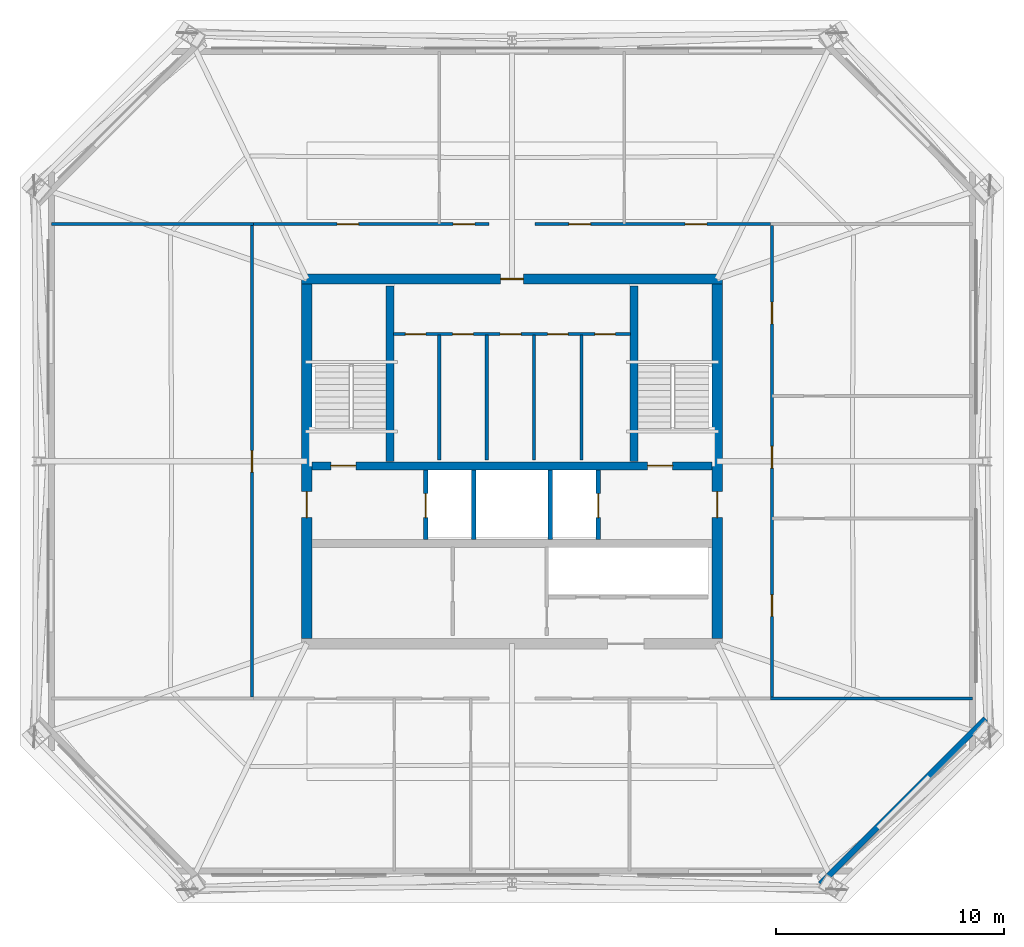
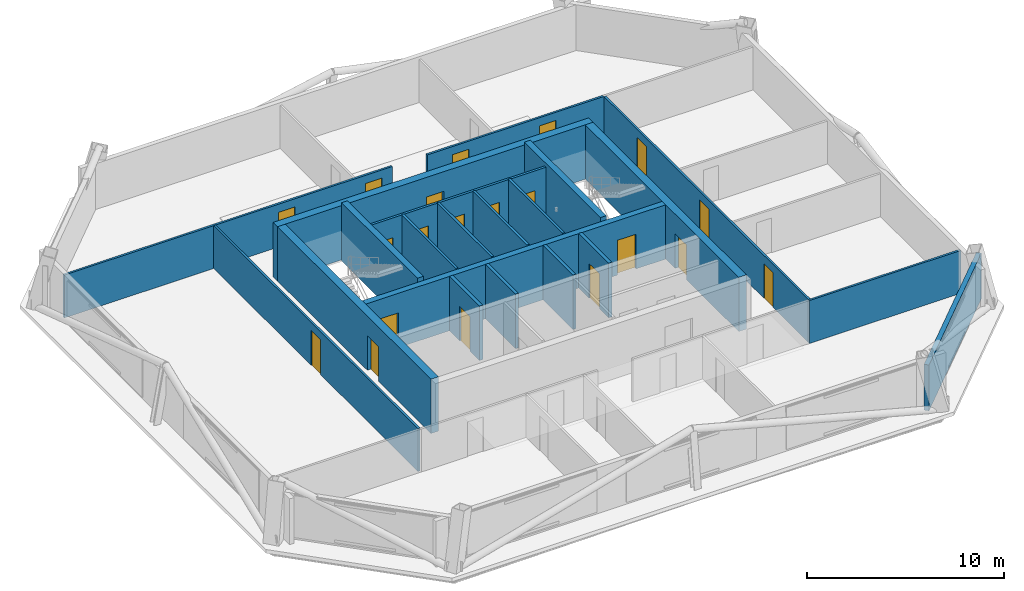
# One storey, part 3 of 6: 22 walls, 20 doors, 20 openings.
"""IFC4 building model written with IfcOpenShell, lengths in metres."""

from ifc_helpers import new_model, si_unit, direction, frame, frame_2d, origin, place, context, subcontext, project, spatial, rectangle, extrude, material, layer, layer_set, type_object, element, fill, save


model = new_model("IFC4")

# Units and contexts
model_context = context("Model", 3, precision=1e-05, world=origin(), true_north=direction((0.0, 1.0)))
body_context = subcontext(model_context, "Body", "Model", "MODEL_VIEW")
ifc_project = project(units=[si_unit("LENGTHUNIT", "METRE"), si_unit("AREAUNIT", "SQUARE_METRE"), si_unit("VOLUMEUNIT", "CUBIC_METRE"), si_unit("PLANEANGLEUNIT", "RADIAN"), si_unit("MASSUNIT", "GRAM", prefix="KILO")], contexts=[model_context])

# Site, building, storey
site_placement = place(None, origin())
site = spatial("IfcSite", under=ifc_project, at=site_placement, CompositionType="ELEMENT")
building_placement = place(site_placement, origin())
building = spatial("IfcBuilding", under=site, at=building_placement, Name="Caelvoria Tower", CompositionType="ELEMENT")
storey_placement = place(building_placement, frame((0.0, 0.0, 216.60009765625)))
storey = spatial("IfcBuildingStorey", under=building, at=storey_placement, Name="L57", CompositionType="ELEMENT", Elevation=216.60009765625)

# Wall, openings, doors
ifc_material_1 = material(Name="Concrete C50/60", Category="concrete")
ifc_layer_1 = layer(ifc_material_1, 0.35009765625, Name="Concrete C50/60")
ifc_layer_set_1 = layer_set([ifc_layer_1], Name="Core Internal Shear Wall 350 - Concrete C50/60")
wall_type_1 = type_object("IfcWallType", Name="Core Internal Shear Wall 350", PredefinedType="SHEAR", material=ifc_layer_set_1)
wall_1_placement = place(storey_placement, frame((37.22509765625, 31.800048828125, 0.0), z_axis=(0.0, 0.0, 1.0), x_axis=(1.0, 0.0, 0.0)))
wall_1 = element("IfcWall", 1, at=wall_1_placement, inside=storey, type_object=wall_type_1, Name="Core Shear Wall L57 M1", PredefinedType="SHEAR", context=body_context, shape_type="SweptSolid", body=[
    extrude(rectangle(XDim=17.5498046875, YDim=0.35009765625, at=frame_2d((8.77490234375, 0.0))), origin(), (0.0, 0.0, 1.0), 3.35986328125),
])
opening_1_placement = place(wall_1_placement, frame((0.824951171875, 0.0, 0.0)))
opening_1 = element("IfcOpeningElement", 2, at=opening_1_placement, cuts=wall_1, Name="Opening ID-01", PredefinedType="OPENING", context=body_context, shape_type="SweptSolid", body=[
    extrude(rectangle(XDim=1.10009765625, YDim=2.14990234375, at=frame_2d((0.550048828125, 1.074951171875))), frame((0.0, 0.18505859375, 0.0), z_axis=(0.0, -1.0, 0.0), x_axis=(1.0, 0.0, 0.0)), (0.0, 0.0, 1.0), 0.3701171875),
])
opening_2_placement = place(wall_1_placement, frame((14.72509765625, 0.0, 0.0)))
opening_2 = element("IfcOpeningElement", 3, at=opening_2_placement, cuts=wall_1, Name="Opening ID-01", PredefinedType="OPENING", context=body_context, shape_type="SweptSolid", body=[
    extrude(rectangle(XDim=1.10009765625, YDim=2.14990234375, at=frame_2d((0.550048828125, 1.074951171875))), frame((0.0, 0.18505859375, 0.0), z_axis=(0.0, -1.0, 0.0), x_axis=(1.0, 0.0, 0.0)), (0.0, 0.0, 1.0), 0.3701171875),
])
ifc_material_2 = material(Name="Painted Hollow Steel Fire Door", Category="steel")
door_type_1 = type_object("IfcDoorType", Name="Fire Door FD90S 1100x2150", OperationType="NOTDEFINED", PredefinedType="DOOR", material=ifc_material_2)
door_1_placement = place(opening_1_placement, origin())
door_1 = element("IfcDoor", 4, at=door_1_placement, inside=storey, type_object=door_type_1, Name="Core Door DR-L57-ST1", OperationType="SINGLE_SWING_LEFT", OverallHeight=2.14990234375, OverallWidth=1.10009765625, PredefinedType="DOOR", context=body_context, shape_type="SweptSolid", body=[
    extrude(rectangle(XDim=1.10009765625, YDim=2.14990234375, at=frame_2d((0.550048828125, 1.074951171875))), frame((0.0, 0.02490234375, 0.0), z_axis=(0.0, -1.0, 0.0), x_axis=(1.0, 0.0, 0.0)), (0.0, 0.0, 1.0), 0.050048828125),
])
fill(opening_1, door_1)
door_2_placement = place(opening_2_placement, origin())
door_2 = element("IfcDoor", 5, at=door_2_placement, inside=storey, type_object=door_type_1, Name="Core Door DR-L57-ST2", OperationType="SINGLE_SWING_RIGHT", OverallHeight=2.14990234375, OverallWidth=1.10009765625, PredefinedType="DOOR", context=body_context, shape_type="SweptSolid", body=[
    extrude(rectangle(XDim=1.10009765625, YDim=2.14990234375, at=frame_2d((0.550048828125, 1.074951171875))), frame((0.0, 0.02490234375, 0.0), z_axis=(0.0, -1.0, 0.0), x_axis=(1.0, 0.0, 0.0)), (0.0, 0.0, 1.0), 0.050048828125),
])
fill(opening_2, door_2)

# Walls
for number, where, z_axis, x_axis, name in (
    (6, (40.64990234375, 32.0, 0.0), (0.0, 0.0, 1.0), (0.0, 1.0, 0.0), "Interior Partition IW-L57-ST1E"),
    (7, (51.35009765625, 32.0, 0.0), (0.0, 0.0, 1.0), (0.0, 1.0, 0.0), "Interior Partition IW-L57-ST2W"),
):
    element("IfcWall", number, at=place(storey_placement, frame(where, z_axis=z_axis, x_axis=x_axis)), inside=storey, type_object=wall_type_1, Name=name, PredefinedType="SHEAR", context=body_context, shape_type="SweptSolid", body=[
        extrude(rectangle(XDim=7.699951171875, YDim=0.35009765625, at=frame_2d((3.85009765625, 0.0))), origin(), (0.0, 0.0, 1.0), 3.599853515625),
    ])
ifc_material_3 = material(Name="Moisture-Resistant Gypsum on Steel Stud", Category="steel")
ifc_layer_2 = layer(ifc_material_3, 0.139892578125, Name="Moisture-Resistant Gypsum on Steel Stud")
ifc_layer_set_2 = layer_set([ifc_layer_2], Name="Core Sanitary Acoustic Partition Wall 140 - Moisture-Resistant Gypsum on Steel Stud")
wall_type_2 = type_object("IfcWallType", Name="Core Sanitary Acoustic Partition Wall 140", PredefinedType="PARTITIONING", material=ifc_layer_set_2)
for number, where, z_axis, x_axis, name in (
    (8, (42.81005859375, 32.050048828125, 0.0), (0.0, 0.0, 1.0), (0.0, 1.0, 0.0), "Interior Partition IW-L57-C1V0"),
    (9, (44.889892578125, 32.050048828125, 0.0), (0.0, 0.0, 1.0), (0.0, 1.0, 0.0), "Interior Partition IW-L57-C1V1"),
    (10, (46.969970703125, 32.050048828125, 0.0), (0.0, 0.0, 1.0), (0.0, 1.0, 0.0), "Interior Partition IW-L57-C1V2"),
    (11, (49.050048828125, 32.050048828125, 0.0), (0.0, 0.0, 1.0), (0.0, 1.0, 0.0), "Interior Partition IW-L57-C1V3"),
):
    element("IfcWall", number, at=place(storey_placement, frame(where, z_axis=z_axis, x_axis=x_axis)), inside=storey, type_object=wall_type_2, Name=name, PredefinedType="PARTITIONING", context=body_context, shape_type="SweptSolid", body=[
        extrude(rectangle(XDim=5.5, YDim=0.139892578125, at=frame_2d((2.75, 0.0))), origin(), (0.0, 0.0, 1.0), 3.375),
    ])

# Wall, openings, doors
wall_2_placement = place(storey_placement, frame((40.800048828125, 37.580078125, 0.0), z_axis=(0.0, 0.0, 1.0), x_axis=(1.0, 0.0, 0.0)))
wall_2 = element("IfcWall", 12, at=wall_2_placement, inside=storey, type_object=wall_type_2, Name="Interior Partition IW-L57-C1H", PredefinedType="PARTITIONING", context=body_context, shape_type="SweptSolid", body=[
    extrude(rectangle(XDim=10.39990234375, YDim=0.139892578125, at=frame_2d((5.199951171875, 0.0))), origin(), (0.0, 0.0, 1.0), 3.375),
])
opening_3_placement = place(wall_2_placement, frame((0.52001953125, 0.0, 0.0)))
opening_3 = element("IfcOpeningElement", 13, at=opening_3_placement, cuts=wall_2, Name="Opening ID-06", PredefinedType="OPENING", context=body_context, shape_type="SweptSolid", body=[
    extrude(rectangle(XDim=0.89990234375, YDim=2.14990234375, at=frame_2d((0.449951171875, 1.074951171875))), frame((0.0, 0.079833984375, 0.0), z_axis=(0.0, -1.0, 0.0), x_axis=(1.0, 0.0, 0.0)), (0.0, 0.0, 1.0), 0.159912109375),
])
opening_4_placement = place(wall_2_placement, frame((2.60009765625, 0.0, 0.0)))
opening_4 = element("IfcOpeningElement", 14, at=opening_4_placement, cuts=wall_2, Name="Opening ID-06", PredefinedType="OPENING", context=body_context, shape_type="SweptSolid", body=[
    extrude(rectangle(XDim=0.89990234375, YDim=2.14990234375, at=frame_2d((0.449951171875, 1.074951171875))), frame((0.0, 0.079833984375, 0.0), z_axis=(0.0, -1.0, 0.0), x_axis=(1.0, 0.0, 0.0)), (0.0, 0.0, 1.0), 0.159912109375),
])
opening_5_placement = place(wall_2_placement, frame((4.679931640625, 0.0, 0.0)))
opening_5 = element("IfcOpeningElement", 15, at=opening_5_placement, cuts=wall_2, Name="Opening ID-07", PredefinedType="OPENING", context=body_context, shape_type="SweptSolid", body=[
    extrude(rectangle(XDim=0.919921875, YDim=2.14990234375, at=frame_2d((0.4599609375, 1.074951171875))), frame((0.0, 0.079833984375, 0.0), z_axis=(0.0, -1.0, 0.0), x_axis=(1.0, 0.0, 0.0)), (0.0, 0.0, 1.0), 0.159912109375),
])
opening_6_placement = place(wall_2_placement, frame((6.760009765625, 0.0, 0.0)))
opening_6 = element("IfcOpeningElement", 16, at=opening_6_placement, cuts=wall_2, Name="Opening ID-06", PredefinedType="OPENING", context=body_context, shape_type="SweptSolid", body=[
    extrude(rectangle(XDim=0.89990234375, YDim=2.14990234375, at=frame_2d((0.449951171875, 1.074951171875))), frame((0.0, 0.079833984375, 0.0), z_axis=(0.0, -1.0, 0.0), x_axis=(1.0, 0.0, 0.0)), (0.0, 0.0, 1.0), 0.159912109375),
])
opening_7_placement = place(wall_2_placement, frame((8.840087890625, 0.0, 0.0)))
opening_7 = element("IfcOpeningElement", 17, at=opening_7_placement, cuts=wall_2, Name="Opening ID-06", PredefinedType="OPENING", context=body_context, shape_type="SweptSolid", body=[
    extrude(rectangle(XDim=0.89990234375, YDim=2.14990234375, at=frame_2d((0.449951171875, 1.074951171875))), frame((0.0, 0.079833984375, 0.0), z_axis=(0.0, -1.0, 0.0), x_axis=(1.0, 0.0, 0.0)), (0.0, 0.0, 1.0), 0.159912109375),
])
ifc_material_4 = material(Name="Engineered Andean Oak Accessible Door", Category="wood")
door_type_2 = type_object("IfcDoorType", Name="Accessible WC Door 950x2150", OperationType="NOTDEFINED", PredefinedType="DOOR", material=ifc_material_4)
door_3_placement = place(opening_5_placement, origin())
door_3 = element("IfcDoor", 18, at=door_3_placement, inside=storey, type_object=door_type_2, Name="Interior Door DR-L57-C1-3", OperationType="SINGLE_SWING_LEFT", OverallHeight=2.14990234375, OverallWidth=0.919921875, PredefinedType="DOOR", context=body_context, shape_type="SweptSolid", body=[
    extrude(rectangle(XDim=0.919921875, YDim=2.14990234375, at=frame_2d((0.4599609375, 1.074951171875))), frame((0.0, 0.02490234375, 0.0), z_axis=(0.0, -1.0, 0.0), x_axis=(1.0, 0.0, 0.0)), (0.0, 0.0, 1.0), 0.050048828125),
])
fill(opening_5, door_3)
ifc_material_5 = material(Name="Engineered Andean Oak Veneer Door", Category="wood")
door_type_3 = type_object("IfcDoorType", Name="Interior Timber Door 900x2150", OperationType="NOTDEFINED", PredefinedType="DOOR", material=ifc_material_5)
door_4_placement = place(opening_3_placement, origin())
door_4 = element("IfcDoor", 19, at=door_4_placement, inside=storey, type_object=door_type_3, Name="Interior Door DR-L57-C1-1", OperationType="SINGLE_SWING_LEFT", OverallHeight=2.14990234375, OverallWidth=0.89990234375, PredefinedType="DOOR", context=body_context, shape_type="SweptSolid", body=[
    extrude(rectangle(XDim=0.89990234375, YDim=2.14990234375, at=frame_2d((0.449951171875, 1.074951171875))), frame((0.0, 0.02490234375, 0.0), z_axis=(0.0, -1.0, 0.0), x_axis=(1.0, 0.0, 0.0)), (0.0, 0.0, 1.0), 0.050048828125),
])
fill(opening_3, door_4)
door_5_placement = place(opening_4_placement, origin())
door_5 = element("IfcDoor", 20, at=door_5_placement, inside=storey, type_object=door_type_3, Name="Interior Door DR-L57-C1-2", OperationType="SINGLE_SWING_RIGHT", OverallHeight=2.14990234375, OverallWidth=0.89990234375, PredefinedType="DOOR", context=body_context, shape_type="SweptSolid", body=[
    extrude(rectangle(XDim=0.89990234375, YDim=2.14990234375, at=frame_2d((0.449951171875, 1.074951171875))), frame((0.0, 0.02490234375, 0.0), z_axis=(0.0, -1.0, 0.0), x_axis=(1.0, 0.0, 0.0)), (0.0, 0.0, 1.0), 0.050048828125),
])
fill(opening_4, door_5)
door_6_placement = place(opening_6_placement, origin())
door_6 = element("IfcDoor", 21, at=door_6_placement, inside=storey, type_object=door_type_3, Name="Interior Door DR-L57-C1-4", OperationType="SINGLE_SWING_RIGHT", OverallHeight=2.14990234375, OverallWidth=0.89990234375, PredefinedType="DOOR", context=body_context, shape_type="SweptSolid", body=[
    extrude(rectangle(XDim=0.89990234375, YDim=2.14990234375, at=frame_2d((0.449951171875, 1.074951171875))), frame((0.0, 0.02490234375, 0.0), z_axis=(0.0, -1.0, 0.0), x_axis=(1.0, 0.0, 0.0)), (0.0, 0.0, 1.0), 0.050048828125),
])
fill(opening_6, door_6)
door_7_placement = place(opening_7_placement, origin())
door_7 = element("IfcDoor", 22, at=door_7_placement, inside=storey, type_object=door_type_3, Name="Interior Door DR-L57-C1-5", OperationType="SINGLE_SWING_LEFT", OverallHeight=2.14990234375, OverallWidth=0.89990234375, PredefinedType="DOOR", context=body_context, shape_type="SweptSolid", body=[
    extrude(rectangle(XDim=0.89990234375, YDim=2.14990234375, at=frame_2d((0.449951171875, 1.074951171875))), frame((0.0, 0.02490234375, 0.0), z_axis=(0.0, -1.0, 0.0), x_axis=(1.0, 0.0, 0.0)), (0.0, 0.0, 1.0), 0.050048828125),
])
fill(opening_7, door_7)

# Walls
ifc_material_6 = material(Name="Concrete Block and Fireboard Assembly", Category="concrete")
ifc_layer_3 = layer(ifc_material_6, 0.179931640625, Name="Concrete Block and Fireboard Assembly")
ifc_layer_set_3 = layer_set([ifc_layer_3], Name="Fire-Rated Hoistway Partition Wall 180 - Concrete Block and Fireboard Assembly")
wall_type_3 = type_object("IfcWallType", Name="Fire-Rated Hoistway Partition Wall 180", PredefinedType="PARTITIONING", material=ifc_layer_set_3)
for number, where, z_axis, x_axis, name in (
    (23, (44.320068359375, 28.580078125, 0.0), (0.0, 0.0, 1.0), (0.0, 1.0, 0.0), "Interior Partition IW-L57-SV1W"),
    (24, (47.679931640625, 28.580078125, 0.0), (0.0, 0.0, 1.0), (0.0, 1.0, 0.0), "Interior Partition IW-L57-SV1E"),
):
    element("IfcWall", number, at=place(storey_placement, frame(where, z_axis=z_axis, x_axis=x_axis)), inside=storey, type_object=wall_type_3, Name=name, PredefinedType="PARTITIONING", context=body_context, shape_type="SweptSolid", body=[
        extrude(rectangle(XDim=3.0400390625, YDim=0.179931640625, at=frame_2d((1.52001953125, 0.0))), origin(), (0.0, 0.0, 1.0), 3.375),
    ])

# Wall, opening, door
ifc_layer_4 = layer(ifc_material_6, 0.199951171875, Name="Concrete Block and Fireboard Assembly")
ifc_layer_set_4 = layer_set([ifc_layer_4], Name="Fire-Rated Shaft and Core Partition Wall 200 - Concrete Block and Fireboard Assembly")
wall_type_4 = type_object("IfcWallType", Name="Fire-Rated Shaft and Core Partition Wall 200", PredefinedType="PARTITIONING", material=ifc_layer_set_4)
wall_3_placement = place(storey_placement, frame((42.219970703125, 28.580078125, 0.0), z_axis=(0.0, 0.0, 1.0), x_axis=(0.0, 1.0, 0.0)))
wall_3 = element("IfcWall", 25, at=wall_3_placement, inside=storey, type_object=wall_type_4, Name="Interior Partition IW-L57-LF1W", PredefinedType="PARTITIONING", context=body_context, shape_type="SweptSolid", body=[
    extrude(rectangle(XDim=3.0400390625, YDim=0.199951171875, at=frame_2d((1.52001953125, 0.0))), origin(), (0.0, 0.0, 1.0), 3.375),
])
opening_8_placement = place(wall_3_placement, frame((0.949951171875, 0.0, 0.0)))
opening_8 = element("IfcOpeningElement", 26, at=opening_8_placement, cuts=wall_3, Name="Opening LD-01", PredefinedType="OPENING", context=body_context, shape_type="SweptSolid", body=[
    extrude(rectangle(XDim=1.050048828125, YDim=2.14990234375, at=frame_2d((0.52490234375, 1.074951171875))), frame((0.0, 0.10986328125, 0.0), z_axis=(0.0, -1.0, 0.0), x_axis=(1.0, 0.0, 0.0)), (0.0, 0.0, 1.0), 0.219970703125),
])
ifc_material_7 = material(Name="Brushed Bronze Stainless Sliding Landing Door", Category="aluminium")
door_type_4 = type_object("IfcDoorType", Name="Lift Landing Sliding Door 1100x2150", OperationType="NOTDEFINED", PredefinedType="DOOR", material=ifc_material_7)
door_8_placement = place(opening_8_placement, origin())
door_8 = element("IfcDoor", 27, at=door_8_placement, inside=storey, type_object=door_type_4, Name="Interior Door LD-L57-LF1", OperationType="SLIDING_TO_LEFT", OverallHeight=2.14990234375, OverallWidth=1.050048828125, PredefinedType="DOOR", context=body_context, shape_type="SweptSolid", body=[
    extrude(rectangle(XDim=1.050048828125, YDim=2.14990234375, at=frame_2d((0.52490234375, 1.074951171875))), frame((0.0, 0.02490234375, 0.0), z_axis=(0.0, -1.0, 0.0), x_axis=(1.0, 0.0, 0.0)), (0.0, 0.0, 1.0), 0.050048828125),
])
fill(opening_8, door_8)

wall_4_placement = place(storey_placement, frame((49.780029296875, 28.580078125, 0.0), z_axis=(0.0, 0.0, 1.0), x_axis=(0.0, 1.0, 0.0)))
wall_4 = element("IfcWall", 28, at=wall_4_placement, inside=storey, type_object=wall_type_4, Name="Interior Partition IW-L57-LF2E", PredefinedType="PARTITIONING", context=body_context, shape_type="SweptSolid", body=[
    extrude(rectangle(XDim=3.0400390625, YDim=0.199951171875, at=frame_2d((1.52001953125, 0.0))), origin(), (0.0, 0.0, 1.0), 3.375),
])
opening_9_placement = place(wall_4_placement, frame((0.949951171875, 0.0, 0.0)))
opening_9 = element("IfcOpeningElement", 29, at=opening_9_placement, cuts=wall_4, Name="Opening LD-01", PredefinedType="OPENING", context=body_context, shape_type="SweptSolid", body=[
    extrude(rectangle(XDim=1.050048828125, YDim=2.14990234375, at=frame_2d((0.52490234375, 1.074951171875))), frame((0.0, 0.10986328125, 0.0), z_axis=(0.0, -1.0, 0.0), x_axis=(1.0, 0.0, 0.0)), (0.0, 0.0, 1.0), 0.219970703125),
])
door_9_placement = place(opening_9_placement, origin())
door_9 = element("IfcDoor", 30, at=door_9_placement, inside=storey, type_object=door_type_4, Name="Interior Door LD-L57-LF2", OperationType="SLIDING_TO_RIGHT", OverallHeight=2.14990234375, OverallWidth=1.050048828125, PredefinedType="DOOR", context=body_context, shape_type="SweptSolid", body=[
    extrude(rectangle(XDim=1.050048828125, YDim=2.14990234375, at=frame_2d((0.52490234375, 1.074951171875))), frame((0.0, 0.02490234375, 0.0), z_axis=(0.0, -1.0, 0.0), x_axis=(1.0, 0.0, 0.0)), (0.0, 0.0, 1.0), 0.050048828125),
])
fill(opening_9, door_9)

# Wall, openings, doors
ifc_material_8 = material(Name="Acoustic Gypsum Board on Light-Gauge Stud", Category="gypsum")
ifc_layer_5 = layer(ifc_material_8, 0.1201171875, Name="Acoustic Gypsum Board on Light-Gauge Stud")
ifc_layer_set_5 = layer_set([ifc_layer_5], Name="Tenant Suite Acoustic Partition Wall 120 - Acoustic Gypsum Board on Light-Gauge Stud")
wall_type_5 = type_object("IfcWallType", Name="Tenant Suite Acoustic Partition Wall 120", PredefinedType="PARTITIONING", material=ifc_layer_set_5)
wall_5_placement = place(storey_placement, frame((34.64990234375, 42.409912109375, 0.0), z_axis=(0.0, 0.0, 1.0), x_axis=(1.0, 0.0, 0.0)))
wall_5 = element("IfcWall", 31, at=wall_5_placement, inside=storey, type_object=wall_type_5, Name="Interior Partition IW-L57-NCW-0", PredefinedType="PARTITIONING", context=body_context, shape_type="SweptSolid", body=[
    extrude(rectangle(XDim=10.330078125, YDim=0.1201171875, at=frame_2d((5.1650390625, 0.0))), origin(), (0.0, 0.0, 1.0), 2.65478515625),
])
opening_10_placement = place(wall_5_placement, frame((3.673583984375, 0.0, 0.0)))
opening_10 = element("IfcOpeningElement", 32, at=opening_10_placement, cuts=wall_5, Name="Opening ID-05", PredefinedType="OPENING", context=body_context, shape_type="SweptSolid", body=[
    extrude(rectangle(XDim=0.949951171875, YDim=2.14990234375, at=frame_2d((0.47509765625, 1.074951171875))), frame((0.0, 0.070068359375, 0.0), z_axis=(0.0, -1.0, 0.0), x_axis=(1.0, 0.0, 0.0)), (0.0, 0.0, 1.0), 0.14013671875),
])
opening_11_placement = place(wall_5_placement, frame((8.768798828125, 0.0, 0.0)))
opening_11 = element("IfcOpeningElement", 33, at=opening_11_placement, cuts=wall_5, Name="Opening ID-05", PredefinedType="OPENING", context=body_context, shape_type="SweptSolid", body=[
    extrude(rectangle(XDim=0.949951171875, YDim=2.14990234375, at=frame_2d((0.47509765625, 1.074951171875))), frame((0.0, 0.070068359375, 0.0), z_axis=(0.0, -1.0, 0.0), x_axis=(1.0, 0.0, 0.0)), (0.0, 0.0, 1.0), 0.14013671875),
])
door_type_5 = type_object("IfcDoorType", Name="Interior Timber Door 950x2150", OperationType="NOTDEFINED", PredefinedType="DOOR", material=ifc_material_5)
door_10_placement = place(opening_10_placement, origin())
door_10 = element("IfcDoor", 34, at=door_10_placement, inside=storey, type_object=door_type_5, Name="Interior Door DR-L57-NC-00-0", OperationType="SINGLE_SWING_RIGHT", OverallHeight=2.14990234375, OverallWidth=0.949951171875, PredefinedType="DOOR", context=body_context, shape_type="SweptSolid", body=[
    extrude(rectangle(XDim=0.949951171875, YDim=2.14990234375, at=frame_2d((0.47509765625, 1.074951171875))), frame((0.0, 0.02490234375, 0.0), z_axis=(0.0, -1.0, 0.0), x_axis=(1.0, 0.0, 0.0)), (0.0, 0.0, 1.0), 0.050048828125),
])
fill(opening_10, door_10)
door_11_placement = place(opening_11_placement, origin())
door_11 = element("IfcDoor", 35, at=door_11_placement, inside=storey, type_object=door_type_5, Name="Interior Door DR-L57-NC-01-0", OperationType="SINGLE_SWING_LEFT", OverallHeight=2.14990234375, OverallWidth=0.949951171875, PredefinedType="DOOR", context=body_context, shape_type="SweptSolid", body=[
    extrude(rectangle(XDim=0.949951171875, YDim=2.14990234375, at=frame_2d((0.47509765625, 1.074951171875))), frame((0.0, 0.02490234375, 0.0), z_axis=(0.0, -1.0, 0.0), x_axis=(1.0, 0.0, 0.0)), (0.0, 0.0, 1.0), 0.050048828125),
])
fill(opening_11, door_11)

wall_6_placement = place(storey_placement, frame((47.02001953125, 42.409912109375, 0.0), z_axis=(0.0, 0.0, 1.0), x_axis=(1.0, 0.0, 0.0)))
wall_6 = element("IfcWall", 36, at=wall_6_placement, inside=storey, type_object=wall_type_5, Name="Interior Partition IW-L57-NCW-1", PredefinedType="PARTITIONING", context=body_context, shape_type="SweptSolid", body=[
    extrude(rectangle(XDim=10.330078125, YDim=0.1201171875, at=frame_2d((5.1650390625, 0.0))), origin(), (0.0, 0.0, 1.0), 2.65478515625),
])
opening_12_placement = place(wall_6_placement, frame((1.480224609375, 0.0, 0.0)))
opening_12 = element("IfcOpeningElement", 37, at=opening_12_placement, cuts=wall_6, Name="Opening ID-05", PredefinedType="OPENING", context=body_context, shape_type="SweptSolid", body=[
    extrude(rectangle(XDim=0.949951171875, YDim=2.14990234375, at=frame_2d((0.47509765625, 1.074951171875))), frame((0.0, 0.070068359375, 0.0), z_axis=(0.0, -1.0, 0.0), x_axis=(1.0, 0.0, 0.0)), (0.0, 0.0, 1.0), 0.14013671875),
])
opening_13_placement = place(wall_6_placement, frame((6.5751953125, 0.0, 0.0)))
opening_13 = element("IfcOpeningElement", 38, at=opening_13_placement, cuts=wall_6, Name="Opening ID-05", PredefinedType="OPENING", context=body_context, shape_type="SweptSolid", body=[
    extrude(rectangle(XDim=0.949951171875, YDim=2.14990234375, at=frame_2d((0.47509765625, 1.074951171875))), frame((0.0, 0.070068359375, 0.0), z_axis=(0.0, -1.0, 0.0), x_axis=(1.0, 0.0, 0.0)), (0.0, 0.0, 1.0), 0.14013671875),
])
door_12_placement = place(opening_12_placement, origin())
door_12 = element("IfcDoor", 39, at=door_12_placement, inside=storey, type_object=door_type_5, Name="Interior Door DR-L57-NC-01-1", OperationType="SINGLE_SWING_RIGHT", OverallHeight=2.14990234375, OverallWidth=0.949951171875, PredefinedType="DOOR", context=body_context, shape_type="SweptSolid", body=[
    extrude(rectangle(XDim=0.949951171875, YDim=2.14990234375, at=frame_2d((0.47509765625, 1.074951171875))), frame((0.0, 0.02490234375, 0.0), z_axis=(0.0, -1.0, 0.0), x_axis=(1.0, 0.0, 0.0)), (0.0, 0.0, 1.0), 0.050048828125),
])
fill(opening_12, door_12)
door_13_placement = place(opening_13_placement, origin())
door_13 = element("IfcDoor", 40, at=door_13_placement, inside=storey, type_object=door_type_5, Name="Interior Door DR-L57-NC-02-0", OperationType="SINGLE_SWING_RIGHT", OverallHeight=2.14990234375, OverallWidth=0.949951171875, PredefinedType="DOOR", context=body_context, shape_type="SweptSolid", body=[
    extrude(rectangle(XDim=0.949951171875, YDim=2.14990234375, at=frame_2d((0.47509765625, 1.074951171875))), frame((0.0, 0.02490234375, 0.0), z_axis=(0.0, -1.0, 0.0), x_axis=(1.0, 0.0, 0.0)), (0.0, 0.0, 1.0), 0.050048828125),
])
fill(opening_13, door_13)

# Wall, opening, door
wall_7_placement = place(storey_placement, frame((34.590087890625, 21.64990234375, 0.0), z_axis=(0.0, 0.0, 1.0), x_axis=(0.0, 1.0, 0.0)))
wall_7 = element("IfcWall", 41, at=wall_7_placement, inside=storey, type_object=wall_type_5, Name="Interior Partition IW-L57-WCW-0", PredefinedType="PARTITIONING", context=body_context, shape_type="SweptSolid", body=[
    extrude(rectangle(XDim=20.7001953125, YDim=0.1201171875, at=frame_2d((10.35009765625, 0.0))), origin(), (0.0, 0.0, 1.0), 2.65478515625),
])
opening_14_placement = place(wall_7_placement, frame((9.875, 0.0, 0.0)))
opening_14 = element("IfcOpeningElement", 42, at=opening_14_placement, cuts=wall_7, Name="Opening ID-05", PredefinedType="OPENING", context=body_context, shape_type="SweptSolid", body=[
    extrude(rectangle(XDim=0.949951171875, YDim=2.14990234375, at=frame_2d((0.47509765625, 1.074951171875))), frame((0.0, 0.070068359375, 0.0), z_axis=(0.0, -1.0, 0.0), x_axis=(1.0, 0.0, 0.0)), (0.0, 0.0, 1.0), 0.14013671875),
])
door_14_placement = place(opening_14_placement, origin())
door_14 = element("IfcDoor", 43, at=door_14_placement, inside=storey, type_object=door_type_5, Name="Interior Door DR-L57-WC-00-0", OperationType="SINGLE_SWING_RIGHT", OverallHeight=2.14990234375, OverallWidth=0.949951171875, PredefinedType="DOOR", context=body_context, shape_type="SweptSolid", body=[
    extrude(rectangle(XDim=0.949951171875, YDim=2.14990234375, at=frame_2d((0.47509765625, 1.074951171875))), frame((0.0, 0.02490234375, 0.0), z_axis=(0.0, -1.0, 0.0), x_axis=(1.0, 0.0, 0.0)), (0.0, 0.0, 1.0), 0.050048828125),
])
fill(opening_14, door_14)

# Wall, openings, doors
wall_8_placement = place(storey_placement, frame((57.409912109375, 21.64990234375, 0.0), z_axis=(0.0, 0.0, 1.0), x_axis=(0.0, 1.0, 0.0)))
wall_8 = element("IfcWall", 44, at=wall_8_placement, inside=storey, type_object=wall_type_5, Name="Interior Partition IW-L57-ECW-0", PredefinedType="PARTITIONING", context=body_context, shape_type="SweptSolid", body=[
    extrude(rectangle(XDim=20.7001953125, YDim=0.1201171875, at=frame_2d((10.35009765625, 0.0))), origin(), (0.0, 0.0, 1.0), 2.65478515625),
])
opening_15_placement = place(wall_8_placement, frame((3.5458984375, 0.0, 0.0)))
opening_15 = element("IfcOpeningElement", 45, at=opening_15_placement, cuts=wall_8, Name="Opening ID-05", PredefinedType="OPENING", context=body_context, shape_type="SweptSolid", body=[
    extrude(rectangle(XDim=0.949951171875, YDim=2.14990234375, at=frame_2d((0.47509765625, 1.074951171875))), frame((0.0, 0.070068359375, 0.0), z_axis=(0.0, -1.0, 0.0), x_axis=(1.0, 0.0, 0.0)), (0.0, 0.0, 1.0), 0.14013671875),
])
opening_16_placement = place(wall_8_placement, frame((10.054443359375, 0.0, 0.0)))
opening_16 = element("IfcOpeningElement", 46, at=opening_16_placement, cuts=wall_8, Name="Opening ID-05", PredefinedType="OPENING", context=body_context, shape_type="SweptSolid", body=[
    extrude(rectangle(XDim=0.949951171875, YDim=2.14990234375, at=frame_2d((0.47509765625, 1.074951171875))), frame((0.0, 0.070068359375, 0.0), z_axis=(0.0, -1.0, 0.0), x_axis=(1.0, 0.0, 0.0)), (0.0, 0.0, 1.0), 0.14013671875),
])
opening_17_placement = place(wall_8_placement, frame((16.383544921875, 0.0, 0.0)))
opening_17 = element("IfcOpeningElement", 47, at=opening_17_placement, cuts=wall_8, Name="Opening ID-05", PredefinedType="OPENING", context=body_context, shape_type="SweptSolid", body=[
    extrude(rectangle(XDim=0.949951171875, YDim=2.14990234375, at=frame_2d((0.47509765625, 1.074951171875))), frame((0.0, 0.070068359375, 0.0), z_axis=(0.0, -1.0, 0.0), x_axis=(1.0, 0.0, 0.0)), (0.0, 0.0, 1.0), 0.14013671875),
])
door_15_placement = place(opening_15_placement, origin())
door_15 = element("IfcDoor", 48, at=door_15_placement, inside=storey, type_object=door_type_5, Name="Interior Door DR-L57-EC-00-0", OperationType="SINGLE_SWING_RIGHT", OverallHeight=2.14990234375, OverallWidth=0.949951171875, PredefinedType="DOOR", context=body_context, shape_type="SweptSolid", body=[
    extrude(rectangle(XDim=0.949951171875, YDim=2.14990234375, at=frame_2d((0.47509765625, 1.074951171875))), frame((0.0, 0.02490234375, 0.0), z_axis=(0.0, -1.0, 0.0), x_axis=(1.0, 0.0, 0.0)), (0.0, 0.0, 1.0), 0.050048828125),
])
fill(opening_15, door_15)
door_16_placement = place(opening_16_placement, origin())
door_16 = element("IfcDoor", 49, at=door_16_placement, inside=storey, type_object=door_type_5, Name="Interior Door DR-L57-EC-01-0", OperationType="SINGLE_SWING_LEFT", OverallHeight=2.14990234375, OverallWidth=0.949951171875, PredefinedType="DOOR", context=body_context, shape_type="SweptSolid", body=[
    extrude(rectangle(XDim=0.949951171875, YDim=2.14990234375, at=frame_2d((0.47509765625, 1.074951171875))), frame((0.0, 0.02490234375, 0.0), z_axis=(0.0, -1.0, 0.0), x_axis=(1.0, 0.0, 0.0)), (0.0, 0.0, 1.0), 0.050048828125),
])
fill(opening_16, door_16)
door_17_placement = place(opening_17_placement, origin())
door_17 = element("IfcDoor", 50, at=door_17_placement, inside=storey, type_object=door_type_5, Name="Interior Door DR-L57-EC-02-0", OperationType="SINGLE_SWING_RIGHT", OverallHeight=2.14990234375, OverallWidth=0.949951171875, PredefinedType="DOOR", context=body_context, shape_type="SweptSolid", body=[
    extrude(rectangle(XDim=0.949951171875, YDim=2.14990234375, at=frame_2d((0.47509765625, 1.074951171875))), frame((0.0, 0.02490234375, 0.0), z_axis=(0.0, -1.0, 0.0), x_axis=(1.0, 0.0, 0.0)), (0.0, 0.0, 1.0), 0.050048828125),
])
fill(opening_17, door_17)

# Walls
for number, where, z_axis, x_axis, name in (
    (51, (57.35009765625, 21.590087890625, 0.0), (0.0, 0.0, 1.0), (1.0, 0.0, 0.0), "Interior Partition IW-L57-BSE-0"),
    (52, (34.64990234375, 42.409912109375, 0.0), (0.0, 0.0, 1.0), (-1.0, 0.0, 0.0), "Interior Partition IW-L57-BNW-0"),
):
    element("IfcWall", number, at=place(storey_placement, frame(where, z_axis=z_axis, x_axis=x_axis)), inside=storey, type_object=wall_type_5, Name=name, PredefinedType="PARTITIONING", context=body_context, shape_type="SweptSolid", body=[
        extrude(rectangle(XDim=8.856201171875, YDim=0.1201171875, at=frame_2d((4.42822265625, 0.0))), origin(), (0.0, 0.0, 1.0), 2.65478515625),
    ])

# Wall, opening, door
ifc_layer_6 = layer(ifc_material_1, 0.449951171875, Name="Concrete C50/60")
ifc_layer_set_6 = layer_set([ifc_layer_6], Name="Upper Core Shear Wall 450 - Concrete C50/60")
wall_type_6 = type_object("IfcWallType", Name="Upper Core Shear Wall 450", PredefinedType="SHEAR", material=ifc_layer_set_6)
wall_9_placement = place(storey_placement, frame((36.77490234375, 40.0, 0.0), z_axis=(0.0, 0.0, 1.0), x_axis=(1.0, 0.0, 0.0)))
wall_9 = element("IfcWall", 53, at=wall_9_placement, inside=storey, type_object=wall_type_6, Name="Core Shear Wall L57 N", PredefinedType="SHEAR", context=body_context, shape_type="SweptSolid", body=[
    extrude(rectangle(XDim=18.4501953125, YDim=0.449951171875, at=frame_2d((9.22509765625, 0.0))), origin(), (0.0, 0.0, 1.0), 3.35986328125),
])
opening_18_placement = place(wall_9_placement, frame((8.72509765625, 0.0, 0.0)))
opening_18 = element("IfcOpeningElement", 54, at=opening_18_placement, cuts=wall_9, Name="Opening ID-03", PredefinedType="OPENING", context=body_context, shape_type="SweptSolid", body=[
    extrude(rectangle(XDim=1.0, YDim=2.14990234375, at=frame_2d((0.5, 1.074951171875))), frame((0.0, 0.23486328125, 0.0), z_axis=(0.0, -1.0, 0.0), x_axis=(1.0, 0.0, 0.0)), (0.0, 0.0, 1.0), 0.469970703125),
])
door_type_6 = type_object("IfcDoorType", Name="Fire Door FD60S 1000x2150", OperationType="NOTDEFINED", PredefinedType="DOOR", material=ifc_material_2)
door_18_placement = place(opening_18_placement, origin())
door_18 = element("IfcDoor", 55, at=door_18_placement, inside=storey, type_object=door_type_6, Name="Core Door DR-L57-WC-MAIN", OperationType="SINGLE_SWING_RIGHT", OverallHeight=2.14990234375, OverallWidth=1.0, PredefinedType="DOOR", context=body_context, shape_type="SweptSolid", body=[
    extrude(rectangle(XDim=1.0, YDim=2.14990234375, at=frame_2d((0.5, 1.074951171875))), frame((0.0, 0.02490234375, 0.0), z_axis=(0.0, -1.0, 0.0), x_axis=(1.0, 0.0, 0.0)), (0.0, 0.0, 1.0), 0.050048828125),
])
fill(opening_18, door_18)

wall_10_placement = place(storey_placement, frame((37.0, 24.22509765625, 0.0), z_axis=(0.0, 0.0, 1.0), x_axis=(0.0, 1.0, 0.0)))
wall_10 = element("IfcWall", 56, at=wall_10_placement, inside=storey, type_object=wall_type_6, Name="Core Shear Wall L57 W", PredefinedType="SHEAR", context=body_context, shape_type="SweptSolid", body=[
    extrude(rectangle(XDim=15.5498046875, YDim=0.449951171875, at=frame_2d((7.77490234375, 0.0))), origin(), (0.0, 0.0, 1.0), 3.35986328125),
])
opening_19_placement = place(wall_10_placement, frame((5.300048828125, 0.0, 0.0)))
opening_19 = element("IfcOpeningElement", 57, at=opening_19_placement, cuts=wall_10, Name="Opening ID-02", PredefinedType="OPENING", context=body_context, shape_type="SweptSolid", body=[
    extrude(rectangle(XDim=1.14990234375, YDim=2.14990234375, at=frame_2d((0.574951171875, 1.074951171875))), frame((0.0, 0.23486328125, 0.0), z_axis=(0.0, -1.0, 0.0), x_axis=(1.0, 0.0, 0.0)), (0.0, 0.0, 1.0), 0.469970703125),
])
door_type_7 = type_object("IfcDoorType", Name="Fire Door FD60S 1150x2150", OperationType="NOTDEFINED", PredefinedType="DOOR", material=ifc_material_2)
door_19_placement = place(opening_19_placement, origin())
door_19 = element("IfcDoor", 58, at=door_19_placement, inside=storey, type_object=door_type_7, Name="Core Door DR-L57-FFLW-OUT", OperationType="SINGLE_SWING_LEFT", OverallHeight=2.14990234375, OverallWidth=1.14990234375, PredefinedType="DOOR", context=body_context, shape_type="SweptSolid", body=[
    extrude(rectangle(XDim=1.14990234375, YDim=2.14990234375, at=frame_2d((0.574951171875, 1.074951171875))), frame((0.0, 0.02490234375, 0.0), z_axis=(0.0, -1.0, 0.0), x_axis=(1.0, 0.0, 0.0)), (0.0, 0.0, 1.0), 0.050048828125),
])
fill(opening_19, door_19)

wall_11_placement = place(storey_placement, frame((55.0, 24.22509765625, 0.0), z_axis=(0.0, 0.0, 1.0), x_axis=(0.0, 1.0, 0.0)))
wall_11 = element("IfcWall", 59, at=wall_11_placement, inside=storey, type_object=wall_type_6, Name="Core Shear Wall L57 E", PredefinedType="SHEAR", context=body_context, shape_type="SweptSolid", body=[
    extrude(rectangle(XDim=15.5498046875, YDim=0.449951171875, at=frame_2d((7.77490234375, 0.0))), origin(), (0.0, 0.0, 1.0), 3.35986328125),
])
opening_20_placement = place(wall_11_placement, frame((5.300048828125, 0.0, 0.0)))
opening_20 = element("IfcOpeningElement", 60, at=opening_20_placement, cuts=wall_11, Name="Opening ID-02", PredefinedType="OPENING", context=body_context, shape_type="SweptSolid", body=[
    extrude(rectangle(XDim=1.14990234375, YDim=2.14990234375, at=frame_2d((0.574951171875, 1.074951171875))), frame((0.0, 0.23486328125, 0.0), z_axis=(0.0, -1.0, 0.0), x_axis=(1.0, 0.0, 0.0)), (0.0, 0.0, 1.0), 0.469970703125),
])
door_20_placement = place(opening_20_placement, origin())
door_20 = element("IfcDoor", 61, at=door_20_placement, inside=storey, type_object=door_type_7, Name="Core Door DR-L57-FFLE-OUT", OperationType="SINGLE_SWING_RIGHT", OverallHeight=2.14990234375, OverallWidth=1.14990234375, PredefinedType="DOOR", context=body_context, shape_type="SweptSolid", body=[
    extrude(rectangle(XDim=1.14990234375, YDim=2.14990234375, at=frame_2d((0.574951171875, 1.074951171875))), frame((0.0, 0.02490234375, 0.0), z_axis=(0.0, -1.0, 0.0), x_axis=(1.0, 0.0, 0.0)), (0.0, 0.0, 1.0), 0.050048828125),
])
fill(opening_20, door_20)

# Wall
ifc_material_9 = material(Name="Precast Concrete C40/50 with Bronze Cladding", Category="concrete")
ifc_layer_7 = layer(ifc_material_9, 0.264892578125, Name="Precast Concrete C40/50 with Bronze Cladding")
ifc_layer_set_7 = layer_set([ifc_layer_7], Name="Upper Taper Precast Concrete C40/50 Bronze Facade Wall 265 - Precast Concrete C40/50 with Bronze Cladding")
wall_type_7 = type_object("IfcWallType", Name="Upper Taper Precast Concrete C40/50 Bronze Facade Wall 265", PredefinedType="STANDARD", material=ifc_layer_set_7)
wall_12_placement = place(storey_placement, frame((59.53173828125, 13.4423828125, 0.0), z_axis=(0.0, 0.0, 1.0), x_axis=(0.707106781187, 0.707106781187, 0.0)))
element("IfcWall", 62, at=wall_12_placement, inside=storey, type_object=wall_type_7, Name="Exterior Facade Wall L57-E1", PredefinedType="STANDARD", context=body_context, shape_type="SweptSolid", body=[
    extrude(rectangle(XDim=10.2509765625, YDim=0.264892578125, at=frame_2d((5.12548828125, 0.0))), origin(), (0.0, 0.0, 1.0), 2.831787109375),
])

save(model, "model.ifc")
